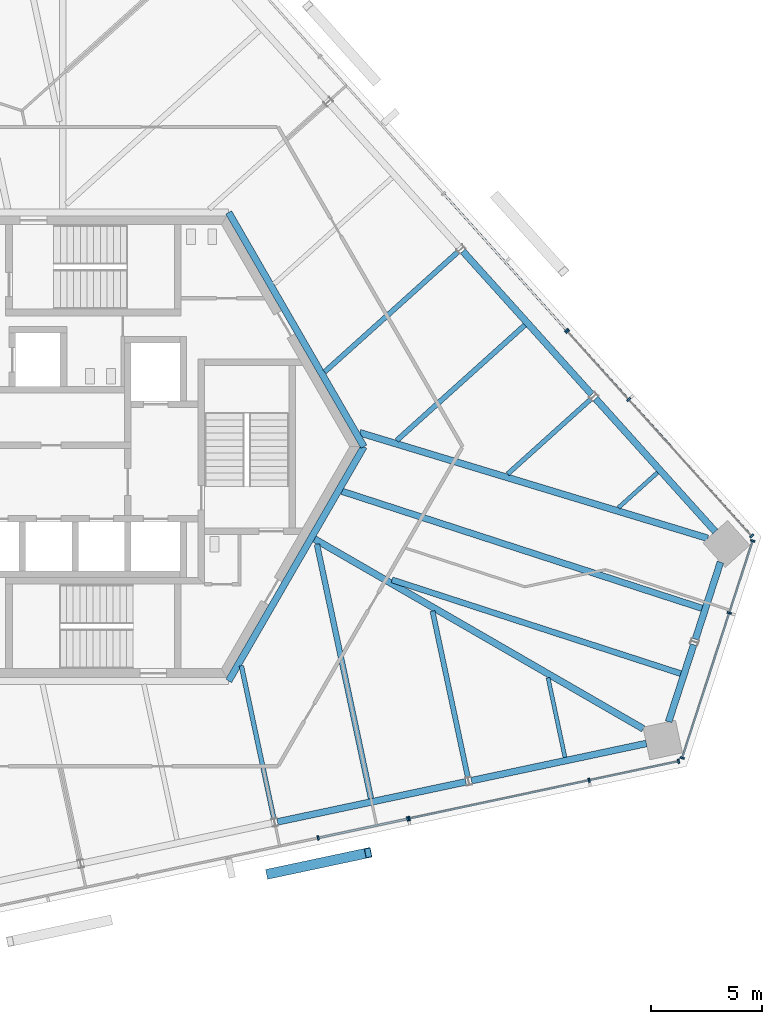
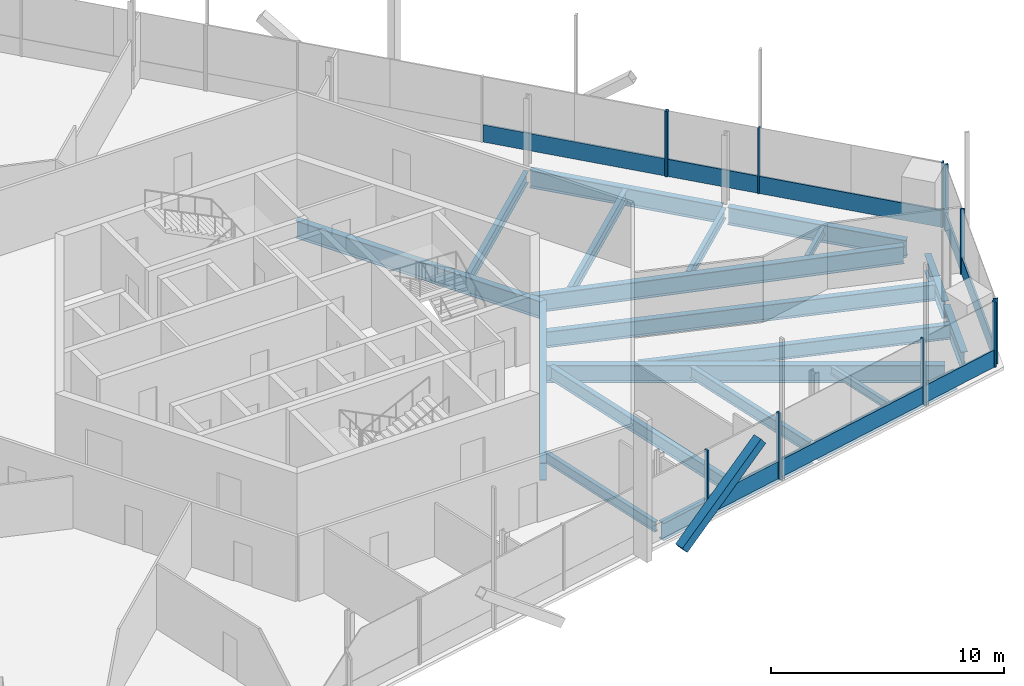
# One storey, part 6 of 17: 21 members, 20 beams, 5 elements without a shape of their own.
"""IFC4 building model written with IfcOpenShell, lengths in metres."""

from ifc_helpers import new_model, si_unit, direction, frame, origin, origin_2d, place, context, subcontext, project, spatial, rectangle, hollow_rectangle, i_section, extrude, source, transform, mapped, material, material_profile, profile_set, type_object, element, aggregate, save


model = new_model("IFC4")

# Units and contexts
model_context = context("Model", 3, precision=1e-05, world=origin(), true_north=direction((0.0, 1.0)))
body_context = subcontext(model_context, "Body", "Model", "MODEL_VIEW")
ifc_project = project(units=[si_unit("LENGTHUNIT", "METRE"), si_unit("AREAUNIT", "SQUARE_METRE"), si_unit("VOLUMEUNIT", "CUBIC_METRE"), si_unit("PLANEANGLEUNIT", "RADIAN"), si_unit("MASSUNIT", "GRAM", prefix="KILO")], contexts=[model_context])

# Site, building, storey
site_placement = place(None, origin())
site = spatial("IfcSite", under=ifc_project, at=site_placement, CompositionType="ELEMENT")
building_placement = place(site_placement, origin())
building = spatial("IfcBuilding", under=site, at=building_placement, Name="Triune Harvest Tower", CompositionType="ELEMENT")
storey_placement = place(building_placement, frame((0.0, 0.0, 281.10009765625)))
storey = spatial("IfcBuildingStorey", under=building, at=storey_placement, Name="L74", CompositionType="ELEMENT", Elevation=281.10009765625)

# Beams
ifc_material_1 = material(Name="Steel ASTM A992 Gr 50", Category="steel")
ifc_material_profile_1 = material_profile(ifc_material_1, i_section(OverallWidth=0.3046875, OverallDepth=0.914306640625, WebThickness=0.0166015625, FlangeThickness=0.02587890625, at=origin_2d()), Name="W36x160")
ifc_profile_set_1 = profile_set([ifc_material_profile_1], Name="Steel ASTM A992 Gr 50")
beam_type_1 = type_object("IfcBeamType", Name="CG-1 Core ring girder W36x160", PredefinedType="BEAM", material=ifc_profile_set_1)
shared_shape_1 = source(origin(), body_context, "Body", "SweptSolid", [
    extrude(i_section(OverallWidth=0.3046875, OverallDepth=0.914306640625, WebThickness=0.0166015625, FlangeThickness=0.02587890625, at=origin_2d()), origin(), (0.0, 0.0, 1.0), 12.176025390625),
])
for number, where, z_axis, x_axis, name in (
    (1, (12.176025390625, 0.0, -0.6171875), (-0.5000099932, 0.866019634131, 0.0), (-0.866019634131, -0.5000099932, 0.0), "beam/L74/CG1"),
    (2, (6.087890625, -10.544677734375, -0.6171875), (0.5000099932, 0.866019634131, 0.0), (-0.866019634131, 0.5000099932, 0.0), "beam/L74/CG6"),
):
    element("IfcBeam", number, at=place(storey_placement, frame(where, z_axis=z_axis, x_axis=x_axis)), inside=storey, type_object=beam_type_1, Name=name, PredefinedType="BEAM", context=body_context, shape_type="MappedRepresentation", body=[
        mapped(shared_shape_1, transform((0.0, 0.0, 0.0), scale=1.0)),
    ])
ifc_material_2 = material(Name="Steel ASTM A992 Gr 50", Category="steel")
ifc_material_profile_2 = material_profile(ifc_material_2, i_section(OverallWidth=0.3046875, OverallDepth=0.914306640625, WebThickness=0.0166015625, FlangeThickness=0.02587890625, at=origin_2d()), Name="W36x160")
ifc_profile_set_2 = profile_set([ifc_material_profile_2], Name="Steel ASTM A992 Gr 50")
beam_type_2 = type_object("IfcBeamType", Name="SB-1 Spandrel beam W36x160", PredefinedType="SPANDREL", material=ifc_profile_set_2)
shared_shape_2 = source(origin(), body_context, "Body", "SweptSolid", [
    extrude(i_section(OverallWidth=0.3046875, OverallDepth=0.914306640625, WebThickness=0.0166015625, FlangeThickness=0.02587890625, at=origin_2d()), origin(), (0.0, 0.0, 1.0), 8.0498046875),
])
beam_1_placement = place(storey_placement, frame((27.991455078125, -3.82177734375, -0.6171875), z_axis=(-0.669137301084, 0.743138797465, 0.0), x_axis=(-0.743138797465, -0.669137301084, 0.0)))
element("IfcBeam", 3, at=beam_1_placement, inside=storey, type_object=beam_type_2, Name="beam/L74/SB1", PredefinedType="SPANDREL", context=body_context, shape_type="MappedRepresentation", body=[
    mapped(shared_shape_2, transform((0.0, 0.0, 0.0), scale=1.0)),
])
shared_shape_3 = source(origin(), body_context, "Body", "SweptSolid", [
    extrude(i_section(OverallWidth=0.3046875, OverallDepth=0.914306640625, WebThickness=0.0166015625, FlangeThickness=0.02587890625, at=origin_2d()), origin(), (0.0, 0.0, 1.0), 8.671630859375),
])
beam_2_placement = place(storey_placement, frame((22.433349609375, 2.350830078125, -0.6171875), z_axis=(-0.669114044563, 0.743159737452, 0.0), x_axis=(-0.743159737452, -0.669114044563, 0.0)))
element("IfcBeam", 4, at=beam_2_placement, inside=storey, type_object=beam_type_2, Name="beam/L74/SB2", PredefinedType="SPANDREL", context=body_context, shape_type="MappedRepresentation", body=[
    mapped(shared_shape_3, transform((0.0, 0.0, 0.0), scale=1.0)),
])
shared_shape_4 = source(origin(), body_context, "Body", "SweptSolid", [
    extrude(i_section(OverallWidth=0.3046875, OverallDepth=0.914306640625, WebThickness=0.0166015625, FlangeThickness=0.02587890625, at=origin_2d()), origin(), (0.0, 0.0, 1.0), 8.67138671875),
])
beam_3_placement = place(storey_placement, frame((8.28515625, -16.890869140625, -0.6171875), z_axis=(0.978145539793, 0.207921386546, 0.0), x_axis=(-0.207921386546, 0.978145539793, 0.0)))
element("IfcBeam", 5, at=beam_3_placement, inside=storey, type_object=beam_type_2, Name="beam/L74/SB18", PredefinedType="SPANDREL", context=body_context, shape_type="MappedRepresentation", body=[
    mapped(shared_shape_4, transform((0.0, 0.0, 0.0), scale=1.0)),
])
shared_shape_5 = source(origin(), body_context, "Body", "SweptSolid", [
    extrude(i_section(OverallWidth=0.3046875, OverallDepth=0.914306640625, WebThickness=0.0166015625, FlangeThickness=0.02587890625, at=origin_2d()), origin(), (0.0, 0.0, 1.0), 3.645751953125),
])
for number, where, z_axis, x_axis, name in (
    (6, (25.89306640625, -12.38134765625, -0.6171875), (0.309046702753, 0.951046862945, 0.0), (-0.951046862945, 0.309046702753, 0.0), "beam/L74/SB20"),
    (7, (27.09912109375, -8.670166015625, -0.6171875), (0.308986131058, 0.951066543841, 0.0), (-0.951066543841, 0.308986131058, 0.0), "beam/L74/SB21"),
):
    element("IfcBeam", number, at=place(storey_placement, frame(where, z_axis=z_axis, x_axis=x_axis)), inside=storey, type_object=beam_type_2, Name=name, PredefinedType="SPANDREL", context=body_context, shape_type="MappedRepresentation", body=[
        mapped(shared_shape_5, transform((0.0, 0.0, 0.0), scale=1.0)),
    ])
shared_shape_6 = source(origin(), body_context, "Body", "SweptSolid", [
    extrude(i_section(OverallWidth=0.3046875, OverallDepth=0.914306640625, WebThickness=0.0166015625, FlangeThickness=0.02587890625, at=origin_2d()), origin(), (0.0, 0.0, 1.0), 8.049560546875),
])
beam_4_placement = place(storey_placement, frame((17.01806640625, -15.034423828125, -0.6171875), z_axis=(0.978148597907, 0.207906999431, 0.0), x_axis=(-0.207906999431, 0.978148597907, 0.0)))
element("IfcBeam", 8, at=beam_4_placement, inside=storey, type_object=beam_type_2, Name="beam/L74/SB19", PredefinedType="SPANDREL", context=body_context, shape_type="MappedRepresentation", body=[
    mapped(shared_shape_6, transform((0.0, 0.0, 0.0), scale=1.0)),
])
ifc_material_3 = material(Name="Steel ASTM A992 Gr 50", Category="steel")
ifc_material_profile_3 = material_profile(ifc_material_3, i_section(OverallWidth=0.3046875, OverallDepth=0.914306640625, WebThickness=0.0166015625, FlangeThickness=0.02587890625, at=origin_2d()), Name="W36x160")
ifc_profile_set_3 = profile_set([ifc_material_profile_3], Name="Steel ASTM A992 Gr 50")
beam_type_3 = type_object("IfcBeamType", Name="HG-3 Hip girder W36x160", PredefinedType="BEAM", material=ifc_profile_set_3)
shared_shape_7 = source(origin(), body_context, "Body", "SweptSolid", [
    extrude(i_section(OverallWidth=0.3046875, OverallDepth=0.914306640625, WebThickness=0.0166015625, FlangeThickness=0.02587890625, at=origin_2d()), origin(), (0.0, 0.0, 1.0), 16.370361328125),
])
beam_5_placement = place(storey_placement, frame((27.65478515625, -4.124755859375, -0.6171875), z_axis=(-0.956924757428, 0.29033602708, 0.0), x_axis=(-0.29033602708, -0.956924757428, 0.0)))
element("IfcBeam", 9, at=beam_5_placement, inside=storey, type_object=beam_type_3, Name="beam/L74/HG1", PredefinedType="BEAM", context=body_context, shape_type="MappedRepresentation", body=[
    mapped(shared_shape_7, transform((0.0, 0.0, 0.0), scale=1.0)),
])
shared_shape_8 = source(origin(), body_context, "Body", "SweptSolid", [
    extrude(i_section(OverallWidth=0.3046875, OverallDepth=0.914306640625, WebThickness=0.0166015625, FlangeThickness=0.02587890625, at=origin_2d()), origin(), (0.0, 0.0, 1.0), 17.088623046875),
])
beam_6_placement = place(storey_placement, frame((24.75146484375, -12.700439453125, -0.6171875), z_axis=(-0.866020709961, 0.500008129852, 0.0), x_axis=(-0.500008129852, -0.866020709961, 0.0)))
element("IfcBeam", 10, at=beam_6_placement, inside=storey, type_object=beam_type_3, Name="beam/L74/HG8", PredefinedType="BEAM", context=body_context, shape_type="MappedRepresentation", body=[
    mapped(shared_shape_8, transform((0.0, 0.0, 0.0), scale=1.0)),
])
ifc_material_4 = material(Name="Steel ASTM A992 Gr 50", Category="steel")
ifc_material_profile_4 = material_profile(ifc_material_4, i_section(OverallWidth=0.180908203125, OverallDepth=0.41650390625, WebThickness=0.010986328125, FlangeThickness=0.01806640625, at=origin_2d()), Name="W16x57")
ifc_profile_set_4 = profile_set([ifc_material_profile_4], Name="Steel ASTM A992 Gr 50")
beam_type_4 = type_object("IfcBeamType", Name="JT-1 Floor joist W16x57", PredefinedType="JOIST", material=ifc_profile_set_4)
shared_shape_9 = source(origin(), body_context, "Body", "SweptSolid", [
    extrude(i_section(OverallWidth=0.180908203125, OverallDepth=0.41650390625, WebThickness=0.010986328125, FlangeThickness=0.01806640625, at=origin_2d()), origin(), (0.0, 0.0, 1.0), 2.364990234375),
])
beam_7_placement = place(storey_placement, frame((25.39306640625, -1.163818359375, -0.368408203125), z_axis=(-0.743196605909, -0.669073093888, 0.0), x_axis=(0.669073093888, -0.743196605909, 0.0)))
element("IfcBeam", 11, at=beam_7_placement, inside=storey, type_object=beam_type_4, Name="beam/L74/JT1", PredefinedType="JOIST", context=body_context, shape_type="MappedRepresentation", body=[
    mapped(shared_shape_9, transform((0.0, 0.0, 0.0), scale=1.0)),
])
ifc_material_5 = material(Name="Steel ASTM A992 Gr 50", Category="steel")
ifc_material_profile_5 = material_profile(ifc_material_5, i_section(OverallWidth=0.2099609375, OverallDepth=0.535888671875, WebThickness=0.010986328125, FlangeThickness=0.017333984375, at=origin_2d()), Name="W21x68")
ifc_profile_set_5 = profile_set([ifc_material_profile_5], Name="Steel ASTM A992 Gr 50")
beam_type_5 = type_object("IfcBeamType", Name="JT-2 Floor joist W21x68", PredefinedType="JOIST", material=ifc_profile_set_5)
shared_shape_10 = source(origin(), body_context, "Body", "SweptSolid", [
    extrude(i_section(OverallWidth=0.2099609375, OverallDepth=0.535888671875, WebThickness=0.010986328125, FlangeThickness=0.017333984375, at=origin_2d()), origin(), (0.0, 0.0, 1.0), 5.031982421875),
])
beam_8_placement = place(storey_placement, frame((22.38525390625, 2.135009765625, -0.427978515625), z_axis=(-0.743132491089, -0.669144304831, 0.0), x_axis=(0.669144304831, -0.743132491089, 0.0)))
element("IfcBeam", 12, at=beam_8_placement, inside=storey, type_object=beam_type_5, Name="beam/L74/JT2", PredefinedType="JOIST", context=body_context, shape_type="MappedRepresentation", body=[
    mapped(shared_shape_10, transform((0.0, 0.0, 0.0), scale=1.0)),
])
ifc_material_6 = material(Name="Steel ASTM A992 Gr 50", Category="steel")
ifc_material_profile_6 = material_profile(ifc_material_6, i_section(OverallWidth=0.22900390625, OverallDepth=0.612060546875, WebThickness=0.011962890625, FlangeThickness=0.01953125, at=origin_2d()), Name="W24x84")
ifc_profile_set_6 = profile_set([ifc_material_profile_6], Name="Steel ASTM A992 Gr 50")
beam_type_6 = type_object("IfcBeamType", Name="JT-3 Floor joist W24x84", PredefinedType="JOIST", material=ifc_profile_set_6)
shared_shape_11 = source(origin(), body_context, "Body", "SweptSolid", [
    extrude(i_section(OverallWidth=0.22900390625, OverallDepth=0.612060546875, WebThickness=0.011962890625, FlangeThickness=0.01953125, at=origin_2d()), origin(), (0.0, 0.0, 1.0), 7.755126953125),
])
beam_9_placement = place(storey_placement, frame((19.4189453125, 5.470947265625, -0.46630859375), z_axis=(-0.743143852868, -0.66913168655, 0.0), x_axis=(0.66913168655, -0.743143852868, 0.0)))
element("IfcBeam", 13, at=beam_9_placement, inside=storey, type_object=beam_type_6, Name="beam/L74/JT3", PredefinedType="JOIST", context=body_context, shape_type="MappedRepresentation", body=[
    mapped(shared_shape_11, transform((0.0, 0.0, 0.0), scale=1.0)),
])
shared_shape_12 = source(origin(), body_context, "Body", "SweptSolid", [
    extrude(i_section(OverallWidth=0.22900390625, OverallDepth=0.612060546875, WebThickness=0.011962890625, FlangeThickness=0.01953125, at=origin_2d()), origin(), (0.0, 0.0, 1.0), 8.076904296875),
])
beam_10_placement = place(storey_placement, frame((16.4111328125, 8.769775390625, -0.46630859375), z_axis=(-0.743136309392, -0.669140064308, 0.0), x_axis=(0.669140064308, -0.743136309392, 0.0)))
element("IfcBeam", 14, at=beam_10_placement, inside=storey, type_object=beam_type_6, Name="beam/L74/JT4", PredefinedType="JOIST", context=body_context, shape_type="MappedRepresentation", body=[
    mapped(shared_shape_12, transform((0.0, 0.0, 0.0), scale=1.0)),
])
shared_shape_13 = source(origin(), body_context, "Body", "SweptSolid", [
    extrude(i_section(OverallWidth=0.2099609375, OverallDepth=0.535888671875, WebThickness=0.010986328125, FlangeThickness=0.017333984375, at=origin_2d()), origin(), (0.0, 0.0, 1.0), 7.035400390625),
])
beam_11_placement = place(storey_placement, frame((8.122314453125, -16.7412109375, -0.427978515625), z_axis=(-0.207933876112, 0.978142884841, 0.0), x_axis=(-0.978142884841, -0.207933876112, 0.0)))
element("IfcBeam", 15, at=beam_11_placement, inside=storey, type_object=beam_type_5, Name="beam/L74/JT28", PredefinedType="JOIST", context=body_context, shape_type="MappedRepresentation", body=[
    mapped(shared_shape_13, transform((0.0, 0.0, 0.0), scale=1.0)),
])
ifc_material_7 = material(Name="Steel ASTM A992 Gr 50", Category="steel")
ifc_material_profile_7 = material_profile(ifc_material_7, i_section(OverallWidth=0.253662109375, OverallDepth=0.683349609375, WebThickness=0.012451171875, FlangeThickness=0.01904296875, at=origin_2d()), Name="W27x94")
ifc_profile_set_7 = profile_set([ifc_material_profile_7], Name="Steel ASTM A992 Gr 50")
beam_type_7 = type_object("IfcBeamType", Name="JT-4 Floor joist W27x94", PredefinedType="JOIST", material=ifc_profile_set_7)
shared_shape_14 = source(origin(), body_context, "Body", "SweptSolid", [
    extrude(i_section(OverallWidth=0.253662109375, OverallDepth=0.683349609375, WebThickness=0.012451171875, FlangeThickness=0.01904296875, at=origin_2d()), origin(), (0.0, 0.0, 1.0), 11.70068359375),
])
beam_12_placement = place(storey_placement, frame((12.494384765625, -15.84033203125, -0.501708984375), z_axis=(-0.207902925765, 0.978149463762, 0.0), x_axis=(-0.978149463762, -0.207902925765, 0.0)))
element("IfcBeam", 16, at=beam_12_placement, inside=storey, type_object=beam_type_7, Name="beam/L74/JT29", PredefinedType="JOIST", context=body_context, shape_type="MappedRepresentation", body=[
    mapped(shared_shape_14, transform((0.0, 0.0, 0.0), scale=1.0)),
])
shared_shape_15 = source(origin(), body_context, "Body", "SweptSolid", [
    extrude(i_section(OverallWidth=0.22900390625, OverallDepth=0.612060546875, WebThickness=0.011962890625, FlangeThickness=0.01953125, at=origin_2d()), origin(), (0.0, 0.0, 1.0), 7.6533203125),
])
beam_13_placement = place(storey_placement, frame((16.85498046875, -14.884765625, -0.46630859375), z_axis=(-0.207892711211, 0.978151634781, 0.0), x_axis=(-0.978151634781, -0.207892711211, 0.0)))
element("IfcBeam", 17, at=beam_13_placement, inside=storey, type_object=beam_type_6, Name="beam/L74/JT30", PredefinedType="JOIST", context=body_context, shape_type="MappedRepresentation", body=[
    mapped(shared_shape_15, transform((0.0, 0.0, 0.0), scale=1.0)),
])
shared_shape_16 = source(origin(), body_context, "Body", "SweptSolid", [
    extrude(i_section(OverallWidth=0.180908203125, OverallDepth=0.41650390625, WebThickness=0.010986328125, FlangeThickness=0.01806640625, at=origin_2d()), origin(), (0.0, 0.0, 1.0), 3.661865234375),
])
beam_14_placement = place(storey_placement, frame((21.227294921875, -13.98388671875, -0.368408203125), z_axis=(-0.20788506993, 0.9781532588, 0.0), x_axis=(-0.9781532588, -0.20788506993, 0.0)))
element("IfcBeam", 18, at=beam_14_placement, inside=storey, type_object=beam_type_4, Name="beam/L74/JT31", PredefinedType="JOIST", context=body_context, shape_type="MappedRepresentation", body=[
    mapped(shared_shape_16, transform((0.0, 0.0, 0.0), scale=1.0)),
])
ifc_material_8 = material(Name="Steel ASTM A992 Gr 50", Category="steel")
ifc_material_profile_8 = material_profile(ifc_material_8, i_section(OverallWidth=0.2666015625, OverallDepth=0.7568359375, WebThickness=0.013916015625, FlangeThickness=0.019287109375, at=origin_2d()), Name="W30x108")
ifc_profile_set_8 = profile_set([ifc_material_profile_8], Name="Steel ASTM A992 Gr 50")
beam_type_8 = type_object("IfcBeamType", Name="JT-5 Floor joist W30x108", PredefinedType="JOIST", material=ifc_profile_set_8)
shared_shape_17 = source(origin(), body_context, "Body", "SweptSolid", [
    extrude(i_section(OverallWidth=0.2666015625, OverallDepth=0.7568359375, WebThickness=0.013916015625, FlangeThickness=0.019287109375, at=origin_2d()), origin(), (0.0, 0.0, 1.0), 13.667724609375),
])
beam_15_placement = place(storey_placement, frame((26.4365234375, -10.216064453125, -0.53857421875), z_axis=(-0.951054938162, 0.309021851327, 0.0), x_axis=(-0.309021851327, -0.951054938162, 0.0)))
element("IfcBeam", 19, at=beam_15_placement, inside=storey, type_object=beam_type_8, Name="beam/L74/JT32", PredefinedType="JOIST", context=body_context, shape_type="MappedRepresentation", body=[
    mapped(shared_shape_17, transform((0.0, 0.0, 0.0), scale=1.0)),
])
ifc_material_9 = material(Name="Steel ASTM A992 Gr 50", Category="steel")
ifc_material_profile_9 = material_profile(ifc_material_9, i_section(OverallWidth=0.2919921875, OverallDepth=0.8408203125, WebThickness=0.0146484375, FlangeThickness=0.021728515625, at=origin_2d()), Name="W33x130")
ifc_profile_set_9 = profile_set([ifc_material_profile_9], Name="Steel ASTM A992 Gr 50")
beam_type_9 = type_object("IfcBeamType", Name="JT-6 Floor joist W33x130", PredefinedType="JOIST", material=ifc_profile_set_9)
shared_shape_18 = source(origin(), body_context, "Body", "SweptSolid", [
    extrude(i_section(OverallWidth=0.2919921875, OverallDepth=0.8408203125, WebThickness=0.0146484375, FlangeThickness=0.021728515625, at=origin_2d()), origin(), (0.0, 0.0, 1.0), 17.03466796875),
])
beam_16_placement = place(storey_placement, frame((27.392333984375, -7.27392578125, -0.58056640625), z_axis=(-0.951057974177, 0.30901250744, 0.0), x_axis=(-0.30901250744, -0.951057974177, 0.0)))
element("IfcBeam", 20, at=beam_16_placement, inside=storey, type_object=beam_type_9, Name="beam/L74/JT33", PredefinedType="JOIST", context=body_context, shape_type="MappedRepresentation", body=[
    mapped(shared_shape_18, transform((0.0, 0.0, 0.0), scale=1.0)),
])

# Member
ifc_material_10 = material(Name="Steel ASTM A572 Gr 50", Category="steel")
ifc_material_profile_10 = material_profile(ifc_material_10, hollow_rectangle(XDim=0.449951171875, YDim=0.449951171875, WallThickness=0.02490234375, at=origin_2d()), Name="Box 450x450x25")
ifc_profile_set_10 = profile_set([ifc_material_profile_10], Name="Steel ASTM A572 Gr 50")
member_type_1 = type_object("IfcMemberType", Name="BR-4 Brace Box 450x450x25", PredefinedType="BRACE", material=ifc_profile_set_10)
shared_shape_19 = source(origin(), body_context, "Body", "SweptSolid", [
    extrude(hollow_rectangle(XDim=0.449951171875, YDim=0.449951171875, WallThickness=0.02490234375, at=origin_2d()), origin(), (0.0, 0.0, 1.0), 5.7890625),
])
member_1_placement = place(storey_placement, frame((7.93212890625, -19.225830078125, 0.0), z_axis=(0.766029525278, 0.162829773018, 0.621840197656), x_axis=(-0.207918008245, 0.978146257902, 0.0)))
element("IfcMember", 21, at=member_1_placement, inside=storey, type_object=member_type_1, Name="brace/B7-F5/d1/7", PredefinedType="BRACE", context=body_context, shape_type="MappedRepresentation", body=[
    mapped(shared_shape_19, transform((0.0, 0.0, 0.0), scale=1.0)),
])

# Curtain wall, members
ifc_material_11 = material(Name="Aluminium bronze anodised", Category="aluminium")
curtain_wall_type_1 = type_object("IfcCurtainWallType", Name="CW-1 Tower stick curtain wall", PredefinedType="NOTDEFINED", material=ifc_material_11)
curtain_wall_1_placement = place(storey_placement, origin())
curtain_wall_1 = element("IfcCurtainWall", 22, at=curtain_wall_1_placement, inside=storey, type_object=curtain_wall_type_1, Name="CW-1 B7-F6 L74 run 1")
ifc_material_12 = material(Name="Aluminium bronze anodised", Category="aluminium")
ifc_material_profile_11 = material_profile(ifc_material_12, rectangle(XDim=0.090087890625, YDim=0.89990234375, at=origin_2d()), Name="TR-1 transom 90 x 900")
ifc_profile_set_11 = profile_set([ifc_material_profile_11], Name="Aluminium bronze anodised")
member_type_2 = type_object("IfcMemberType", Name="TR-1 transom 90 x 900", PredefinedType="USERDEFINED", material=ifc_profile_set_11)
shared_shape_20 = source(origin(), body_context, "Body", "SweptSolid", [
    extrude(rectangle(XDim=0.090087890625, YDim=0.89990234375, at=origin_2d()), origin(), (0.0, 0.0, 1.0), 6.7900390625),
])
member_2_placement = place(storey_placement, frame((26.515380859375, -13.979736328125, 0.449951171875), z_axis=(0.309002330593, 0.951061280722, 0.0), x_axis=(-0.951061280722, 0.309002330593, 0.0)))
member_2 = element("IfcMember", 23, at=member_2_placement, type_object=member_type_2, Name="CW-1 transom B7-F6 1.1", ObjectType="TRANSOM", PredefinedType="USERDEFINED", context=body_context, shape_type="MappedRepresentation", body=[
    mapped(shared_shape_20, transform((0.0, 0.0, 0.0), scale=1.0)),
])
shared_shape_21 = source(origin(), body_context, "Body", "SweptSolid", [
    extrude(rectangle(XDim=0.090087890625, YDim=0.89990234375, at=origin_2d()), origin(), (0.0, 0.0, 1.0), 3.338623046875),
])
member_3_placement = place(storey_placement, frame((28.63671875, -7.45068359375, 0.449951171875), z_axis=(0.309023240166, 0.951054486892, 0.0), x_axis=(-0.951054486892, 0.309023240166, 0.0)))
member_3 = element("IfcMember", 24, at=member_3_placement, type_object=member_type_2, Name="CW-1 transom B7-F6 1.2", ObjectType="TRANSOM", PredefinedType="USERDEFINED", context=body_context, shape_type="MappedRepresentation", body=[
    mapped(shared_shape_21, transform((0.0, 0.0, 0.0), scale=1.0)),
])

# Curtain wall, member
curtain_wall_2_placement = place(storey_placement, origin())
curtain_wall_2 = element("IfcCurtainWall", 25, at=curtain_wall_2_placement, inside=storey, type_object=curtain_wall_type_1, Name="CW-1 B7-F1 L74 run 1")
shared_shape_22 = source(origin(), body_context, "Body", "SweptSolid", [
    extrude(rectangle(XDim=0.090087890625, YDim=0.89990234375, at=origin_2d()), origin(), (0.0, 0.0, 1.0), 8.198974609375),
])
member_4_placement = place(storey_placement, frame((29.60888671875, -3.995849609375, 0.449951171875), z_axis=(-0.669124295874, 0.743150507415, 0.0), x_axis=(-0.743150507415, -0.669124295874, 0.0)))
member_4 = element("IfcMember", 26, at=member_4_placement, type_object=member_type_2, Name="CW-1 transom B7-F1 1.1", ObjectType="TRANSOM", PredefinedType="USERDEFINED", context=body_context, shape_type="MappedRepresentation", body=[
    mapped(shared_shape_22, transform((0.0, 0.0, 0.0), scale=1.0)),
])

ifc_material_13 = material(Name="Aluminium bronze anodised", Category="aluminium")
curtain_wall_type_2 = type_object("IfcCurtainWallType", Name="CW-7 Tower stick curtain wall with insulated spandrel infill", PredefinedType="NOTDEFINED", material=ifc_material_13)
curtain_wall_3_placement = place(storey_placement, origin())
curtain_wall_3 = element("IfcCurtainWall", 27, at=curtain_wall_3_placement, inside=storey, type_object=curtain_wall_type_2, Name="CW-7 B7-F1 L74 run 1001")
member_5_placement = place(storey_placement, frame((21.2666015625, 5.26904296875, 0.449951171875), z_axis=(-0.669109489038, 0.743163839055, 0.0), x_axis=(-0.743163839055, -0.669109489038, 0.0)))
member_5 = element("IfcMember", 28, at=member_5_placement, type_object=member_type_2, Name="CW-7 transom B7-F1 1001.1", ObjectType="TRANSOM", PredefinedType="USERDEFINED", context=body_context, shape_type="MappedRepresentation", body=[
    mapped(shared_shape_22, transform((0.0, 0.0, 0.0), scale=1.0)),
])

# Member
shared_shape_23 = source(origin(), body_context, "Body", "SweptSolid", [
    extrude(rectangle(XDim=0.090087890625, YDim=0.89990234375, at=origin_2d()), origin(), (0.0, 0.0, 1.0), 4.043212890625),
])
member_6_placement = place(storey_placement, frame((24.072509765625, 2.15283203125, 0.449951171875), z_axis=(-0.669091490458, 0.743180043729, 0.0), x_axis=(-0.743180043729, -0.669091490458, 0.0)))
member_6 = element("IfcMember", 29, at=member_6_placement, type_object=member_type_2, Name="CW-1 transom B7-F1 1.2", ObjectType="TRANSOM", PredefinedType="USERDEFINED", context=body_context, shape_type="MappedRepresentation", body=[
    mapped(shared_shape_23, transform((0.0, 0.0, 0.0), scale=1.0)),
])

# Curtain wall, member
curtain_wall_4_placement = place(storey_placement, origin())
curtain_wall_4 = element("IfcCurtainWall", 30, at=curtain_wall_4_placement, inside=storey, type_object=curtain_wall_type_2, Name="CW-7 B7-F5 L74 run 1001")
member_7_placement = place(storey_placement, frame((10.153076171875, -17.603759765625, 0.449951171875), z_axis=(0.978137821682, 0.207957692319, 0.0), x_axis=(-0.207957692319, 0.978137821682, 0.0)))
member_7 = element("IfcMember", 31, at=member_7_placement, type_object=member_type_2, Name="CW-7 transom B7-F5 1001.3", ObjectType="TRANSOM", PredefinedType="USERDEFINED", context=body_context, shape_type="MappedRepresentation", body=[
    mapped(shared_shape_23, transform((0.0, 0.0, 0.0), scale=1.0)),
])

# Curtain wall, members
curtain_wall_5_placement = place(storey_placement, origin())
curtain_wall_5 = element("IfcCurtainWall", 32, at=curtain_wall_5_placement, inside=storey, type_object=curtain_wall_type_1, Name="CW-1 B7-F5 L74 run 2001")
shared_shape_24 = source(origin(), body_context, "Body", "SweptSolid", [
    extrude(rectangle(XDim=0.090087890625, YDim=0.89990234375, at=origin_2d()), origin(), (0.0, 0.0, 1.0), 8.19921875),
])
member_8_placement = place(storey_placement, frame((14.254638671875, -16.731689453125, 0.449951171875), z_axis=(0.978150525776, 0.207897929101, 0.0), x_axis=(-0.207897929101, 0.978150525776, 0.0)))
member_8 = element("IfcMember", 33, at=member_8_placement, type_object=member_type_2, Name="CW-1 transom B7-F5 2001.1", ObjectType="TRANSOM", PredefinedType="USERDEFINED", context=body_context, shape_type="MappedRepresentation", body=[
    mapped(shared_shape_24, transform((0.0, 0.0, 0.0), scale=1.0)),
])
shared_shape_25 = source(origin(), body_context, "Body", "SweptSolid", [
    extrude(rectangle(XDim=0.090087890625, YDim=0.89990234375, at=origin_2d()), origin(), (0.0, 0.0, 1.0), 4.04345703125),
])
member_9_placement = place(storey_placement, frame((22.347900390625, -15.011474609375, 0.449951171875), z_axis=(0.978152712315, 0.207887641265, 0.0), x_axis=(-0.207887641265, 0.978152712315, 0.0)))
member_9 = element("IfcMember", 34, at=member_9_placement, type_object=member_type_2, Name="CW-1 transom B7-F5 2001.2", ObjectType="TRANSOM", PredefinedType="USERDEFINED", context=body_context, shape_type="MappedRepresentation", body=[
    mapped(shared_shape_25, transform((0.0, 0.0, 0.0), scale=1.0)),
])

# Member
ifc_material_14 = material(Name="Aluminium bronze anodised", Category="aluminium")
ifc_material_profile_12 = material_profile(ifc_material_14, rectangle(XDim=0.199951171875, YDim=0.074951171875, at=origin_2d()), Name="MU-1 mullion 75 x 200")
ifc_profile_set_12 = profile_set([ifc_material_profile_12], Name="Aluminium bronze anodised")
member_type_3 = type_object("IfcMemberType", Name="MU-1 mullion 75 x 200", PredefinedType="MULLION", material=ifc_profile_set_12)
shared_shape_26 = source(origin(), body_context, "Body", "SweptSolid", [
    extrude(rectangle(XDim=0.199951171875, YDim=0.074951171875, at=origin_2d()), origin(), (0.0, 0.0, 1.0), 3.419921875),
])
member_10_placement = place(storey_placement, frame((29.634033203125, -4.023681640625, 0.0), z_axis=(0.0, 0.0, 1.0), x_axis=(-0.743144053222, -0.669131464034, 0.0)))
member_10 = element("IfcMember", 35, at=member_10_placement, type_object=member_type_3, Name="CW-1 mullion B7-F1 1.1", PredefinedType="MULLION", context=body_context, shape_type="MappedRepresentation", body=[
    mapped(shared_shape_26, transform((0.0, 0.0, 0.0), scale=1.0)),
])

member_11_placement = place(storey_placement, frame((24.09765625, 2.125, 0.0), z_axis=(0.0, 0.0, 1.0), x_axis=(-0.743144053222, -0.669131464034, 0.0)))
member_11 = element("IfcMember", 36, at=member_11_placement, type_object=member_type_3, Name="CW-1 mullion B7-F1 1.3", PredefinedType="MULLION", context=body_context, shape_type="MappedRepresentation", body=[
    mapped(shared_shape_26, transform((0.0, 0.0, 0.0), scale=1.0)),
])

member_12_placement = place(storey_placement, frame((21.342041015625, 5.185546875, 0.0), z_axis=(0.0, 0.0, 1.0), x_axis=(-0.743144053222, -0.669131464034, 0.0)))
member_12 = element("IfcMember", 37, at=member_12_placement, type_object=member_type_3, Name="CW-1 mullion B7-F1 1.4", PredefinedType="MULLION", context=body_context, shape_type="MappedRepresentation", body=[
    mapped(shared_shape_26, transform((0.0, 0.0, 0.0), scale=1.0)),
])

aggregate(curtain_wall_2, [member_10, member_11, member_12, member_4, member_6])

member_13_placement = place(storey_placement, frame((21.291748046875, 5.2412109375, 0.0), z_axis=(0.0, 0.0, 1.0), x_axis=(-0.74314408674, -0.669131426809, 0.0)))
member_13 = element("IfcMember", 38, at=member_13_placement, type_object=member_type_3, Name="CW-7 mullion B7-F1 1001.1", PredefinedType="MULLION", context=body_context, shape_type="MappedRepresentation", body=[
    mapped(shared_shape_26, transform((0.0, 0.0, 0.0), scale=1.0)),
])

aggregate(curtain_wall_3, [member_13, member_5])

member_14_placement = place(storey_placement, frame((10.116455078125, -17.611328125, 0.0), z_axis=(0.0, 0.0, 1.0), x_axis=(-0.207913090389, 0.978147303245, 0.0)))
member_14 = element("IfcMember", 39, at=member_14_placement, type_object=member_type_3, Name="CW-7 mullion B7-F5 1001.5", PredefinedType="MULLION", context=body_context, shape_type="MappedRepresentation", body=[
    mapped(shared_shape_26, transform((0.0, 0.0, 0.0), scale=1.0)),
])

member_15_placement = place(storey_placement, frame((14.14453125, -16.755126953125, 0.0), z_axis=(0.0, 0.0, 1.0), x_axis=(-0.207913090389, 0.978147303245, 0.0)))
member_15 = element("IfcMember", 40, at=member_15_placement, type_object=member_type_3, Name="CW-7 mullion B7-F5 1001.6", PredefinedType="MULLION", context=body_context, shape_type="MappedRepresentation", body=[
    mapped(shared_shape_26, transform((0.0, 0.0, 0.0), scale=1.0)),
])

aggregate(curtain_wall_4, [member_14, member_15, member_7])

member_16_placement = place(storey_placement, frame((14.218017578125, -16.739501953125, 0.0), z_axis=(0.0, 0.0, 1.0), x_axis=(-0.207909221248, 0.978148125654, 0.0)))
member_16 = element("IfcMember", 41, at=member_16_placement, type_object=member_type_3, Name="CW-1 mullion B7-F5 2001.1", PredefinedType="MULLION", context=body_context, shape_type="MappedRepresentation", body=[
    mapped(shared_shape_26, transform((0.0, 0.0, 0.0), scale=1.0)),
])

member_17_placement = place(storey_placement, frame((22.311279296875, -15.019287109375, 0.0), z_axis=(0.0, 0.0, 1.0), x_axis=(-0.207909221248, 0.978148125654, 0.0)))
member_17 = element("IfcMember", 42, at=member_17_placement, type_object=member_type_3, Name="CW-1 mullion B7-F5 2001.3", PredefinedType="MULLION", context=body_context, shape_type="MappedRepresentation", body=[
    mapped(shared_shape_26, transform((0.0, 0.0, 0.0), scale=1.0)),
])

member_18_placement = place(storey_placement, frame((26.339599609375, -14.1630859375, 0.0), z_axis=(0.0, 0.0, 1.0), x_axis=(-0.207909221248, 0.978148125654, 0.0)))
member_18 = element("IfcMember", 43, at=member_18_placement, type_object=member_type_3, Name="CW-1 mullion B7-F5 2001.4", PredefinedType="MULLION", context=body_context, shape_type="MappedRepresentation", body=[
    mapped(shared_shape_26, transform((0.0, 0.0, 0.0), scale=1.0)),
])

aggregate(curtain_wall_5, [member_16, member_17, member_18, member_8, member_9])

member_19_placement = place(storey_placement, frame((26.503662109375, -14.015380859375, 0.0), z_axis=(0.0, 0.0, 1.0), x_axis=(-0.951055902733, 0.309018882717, 0.0)))
member_19 = element("IfcMember", 44, at=member_19_placement, type_object=member_type_3, Name="CW-1 mullion B7-F6 1.1", PredefinedType="MULLION", context=body_context, shape_type="MappedRepresentation", body=[
    mapped(shared_shape_26, transform((0.0, 0.0, 0.0), scale=1.0)),
])

member_20_placement = place(storey_placement, frame((28.625, -7.486328125, 0.0), z_axis=(0.0, 0.0, 1.0), x_axis=(-0.951055902733, 0.309018882717, 0.0)))
member_20 = element("IfcMember", 45, at=member_20_placement, type_object=member_type_3, Name="CW-1 mullion B7-F6 1.3", PredefinedType="MULLION", context=body_context, shape_type="MappedRepresentation", body=[
    mapped(shared_shape_26, transform((0.0, 0.0, 0.0), scale=1.0)),
])

member_21_placement = place(storey_placement, frame((29.679931640625, -4.23974609375, 0.0), z_axis=(0.0, 0.0, 1.0), x_axis=(-0.951055902733, 0.309018882717, 0.0)))
member_21 = element("IfcMember", 46, at=member_21_placement, type_object=member_type_3, Name="CW-1 mullion B7-F6 1.4", PredefinedType="MULLION", context=body_context, shape_type="MappedRepresentation", body=[
    mapped(shared_shape_26, transform((0.0, 0.0, 0.0), scale=1.0)),
])

aggregate(curtain_wall_1, [member_19, member_20, member_21, member_2, member_3])

save(model, "model.ifc")
